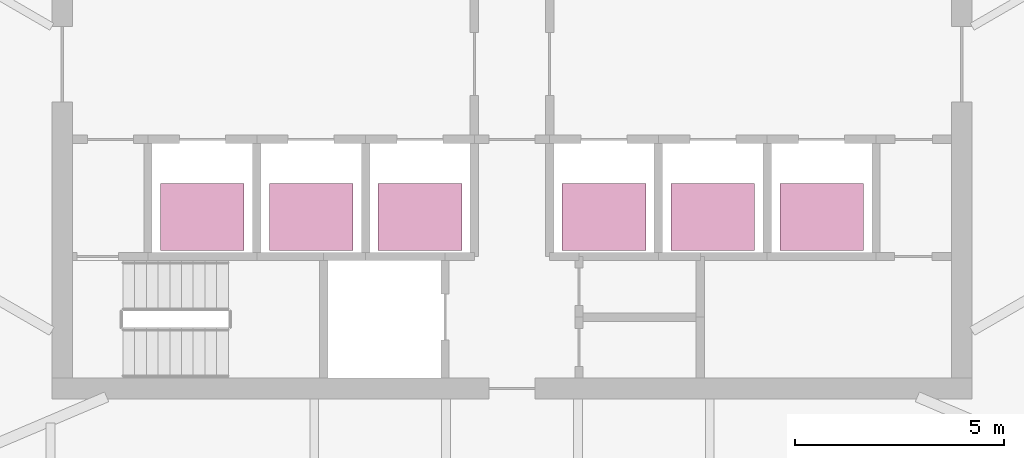
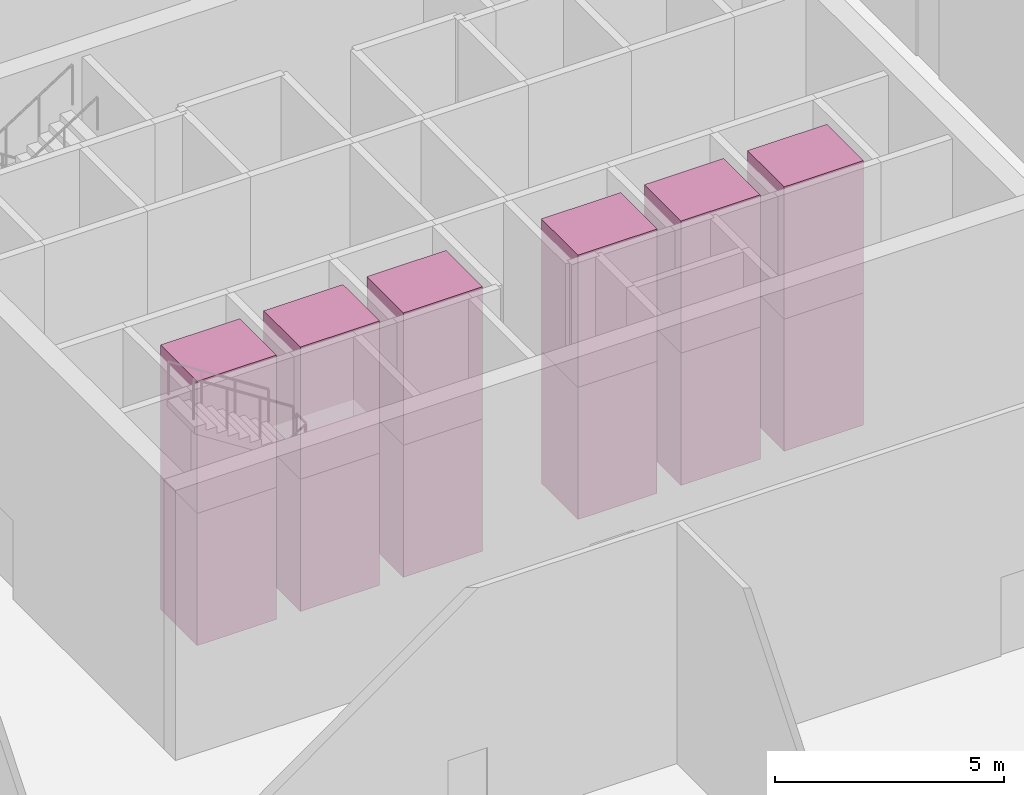
# One storey, part 15 of 15: 12 transport elements.
"""IFC4 building model written with IfcOpenShell, lengths in metres."""

from ifc_helpers import new_model, si_unit, direction, frame, origin, origin_2d, place, context, subcontext, project, spatial, rectangle, extrude, material, type_object, element, save


model = new_model("IFC4")

# Units and contexts
model_context = context("Model", 3, precision=1e-05, world=origin(), true_north=direction((0.0, 1.0)))
body_context = subcontext(model_context, "Body", "Model", "MODEL_VIEW")
ifc_project = project(units=[si_unit("LENGTHUNIT", "METRE"), si_unit("AREAUNIT", "SQUARE_METRE"), si_unit("VOLUMEUNIT", "CUBIC_METRE"), si_unit("PLANEANGLEUNIT", "RADIAN"), si_unit("MASSUNIT", "GRAM", prefix="KILO")], contexts=[model_context])

# Site, building, storey
site_placement = place(None, origin())
site = spatial("IfcSite", under=ifc_project, at=site_placement, CompositionType="ELEMENT")
building_placement = place(site_placement, origin())
building = spatial("IfcBuilding", under=site, at=building_placement, Name="Sierra Prisma Convention Tower", CompositionType="ELEMENT")
storey_placement = place(building_placement, frame((0.0, 0.0, 118.60009765625)))
storey = spatial("IfcBuildingStorey", under=building, at=storey_placement, Name="L25", CompositionType="ELEMENT", Elevation=118.60009765625)

# Transport elements
ifc_material = material(Name="Stainless steel", Category="steel")
transport_element_type = type_object("IfcTransportElementType", Name="Lift car office low 2000x1600 1600 kg", PredefinedType="ELEVATOR", material=ifc_material)
for number, where, z_axis, x_axis, name in (
    (1, (-7.39990234375, -3.64990234375, 0.0), (0.0, 0.0, 1.0), (1.0, 0.0, 0.0), "Lift OL1"),
    (2, (-7.39990234375, -3.64990234375, 3.52490234375), (0.0, 0.0, 1.0), (1.0, 0.0, 0.0), "Lift OL1"),
    (3, (-4.800048828125, -3.64990234375, 0.0), (0.0, 0.0, 1.0), (1.0, 0.0, 0.0), "Lift OL2"),
    (4, (-4.800048828125, -3.64990234375, 3.52490234375), (0.0, 0.0, 1.0), (1.0, 0.0, 0.0), "Lift OL2"),
    (5, (-2.199951171875, -3.64990234375, 0.0), (0.0, 0.0, 1.0), (1.0, 0.0, 0.0), "Lift OL3"),
    (6, (-2.199951171875, -3.64990234375, 3.52490234375), (0.0, 0.0, 1.0), (1.0, 0.0, 0.0), "Lift OL3"),
    (7, (2.199951171875, -3.64990234375, 0.0), (0.0, 0.0, 1.0), (1.0, 0.0, 0.0), "Lift OL4"),
    (8, (2.199951171875, -3.64990234375, 3.52490234375), (0.0, 0.0, 1.0), (1.0, 0.0, 0.0), "Lift OL4"),
    (9, (4.800048828125, -3.64990234375, 0.0), (0.0, 0.0, 1.0), (1.0, 0.0, 0.0), "Lift OL5"),
    (10, (4.800048828125, -3.64990234375, 3.52490234375), (0.0, 0.0, 1.0), (1.0, 0.0, 0.0), "Lift OL5"),
    (11, (7.39990234375, -3.64990234375, 0.0), (0.0, 0.0, 1.0), (1.0, 0.0, 0.0), "Lift OL6"),
    (12, (7.39990234375, -3.64990234375, 3.52490234375), (0.0, 0.0, 1.0), (1.0, 0.0, 0.0), "Lift OL6"),
):
    element("IfcTransportElement", number, at=place(storey_placement, frame(where, z_axis=z_axis, x_axis=x_axis)), inside=storey, type_object=transport_element_type, Name=name, PredefinedType="ELEVATOR", context=body_context, shape_type="SweptSolid", body=[
        extrude(rectangle(XDim=2.0, YDim=1.60009765625, at=origin_2d()), origin(), (0.0, 0.0, 1.0), 3.52490234375),
    ])

save(model, "model.ifc")
